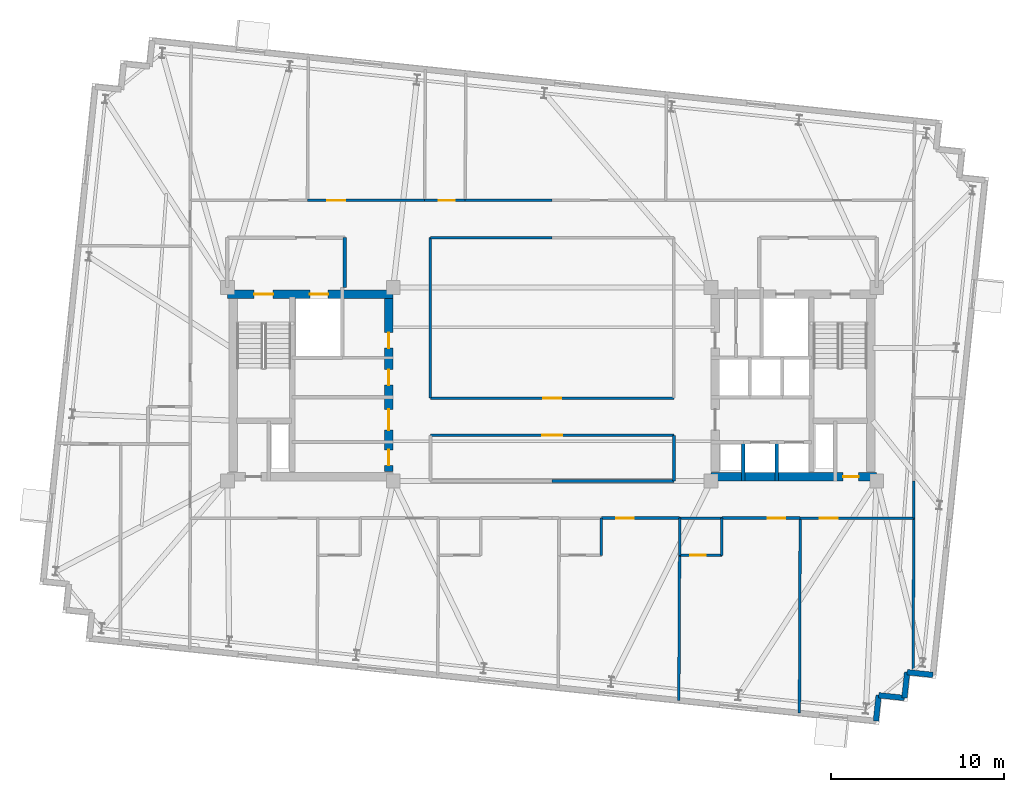
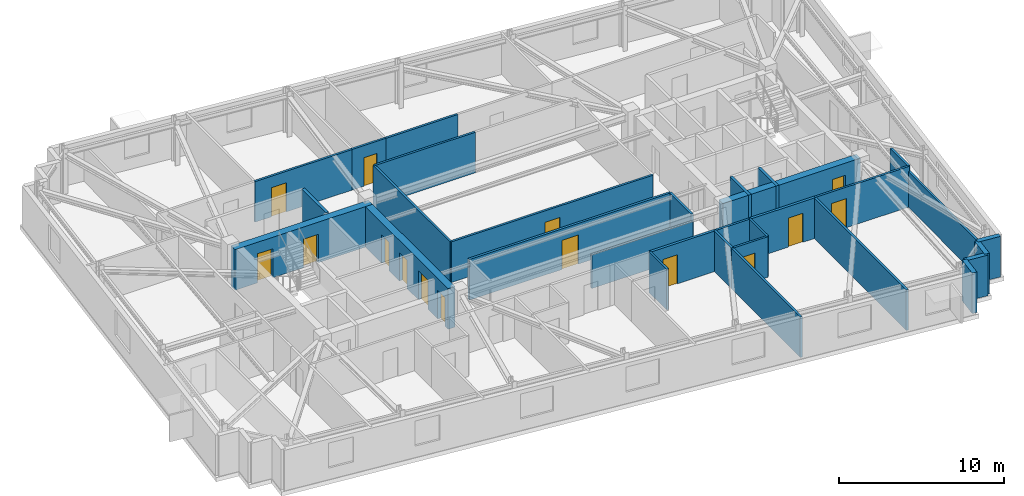
# One storey, part 7 of 11: 31 walls, 15 doors, 15 openings.
"""IFC4 building model written with IfcOpenShell, lengths in metres."""

from ifc_helpers import new_model, si_unit, direction, frame, frame_2d, origin, place, context, subcontext, project, spatial, rectangle, extrude, material, layer, layer_set, type_object, element, fill, save


model = new_model("IFC4")

# Units and contexts
model_context = context("Model", 3, precision=1e-05, world=origin(), true_north=direction((0.0, 1.0)))
body_context = subcontext(model_context, "Body", "Model", "MODEL_VIEW")
ifc_project = project(units=[si_unit("LENGTHUNIT", "METRE"), si_unit("AREAUNIT", "SQUARE_METRE"), si_unit("VOLUMEUNIT", "CUBIC_METRE"), si_unit("PLANEANGLEUNIT", "RADIAN"), si_unit("MASSUNIT", "GRAM", prefix="KILO")], contexts=[model_context])

# Site, building, storey
site_placement = place(None, origin())
site = spatial("IfcSite", under=ifc_project, at=site_placement, CompositionType="ELEMENT")
building_placement = place(site_placement, origin())
building = spatial("IfcBuilding", under=site, at=building_placement, Name="Qobustan Lattice House", CompositionType="ELEMENT")
storey_placement = place(building_placement, frame((0.0, 0.0, 219.85009765625)))
storey = spatial("IfcBuildingStorey", under=building, at=storey_placement, Name="L62", CompositionType="ELEMENT", Elevation=219.85009765625)

# Wall, openings, doors
ifc_material_1 = material(Name="Concrete C50/60", Category="concrete")
ifc_layer_1 = layer(ifc_material_1, 0.5)
ifc_layer_set_1 = layer_set([ifc_layer_1], Name="Concrete C50/60")
wall_type_1 = type_object("IfcWallType", Name="WAL-CORE-500", PredefinedType="SHEAR", material=ifc_layer_set_1)
wall_1_placement = place(storey_placement, frame((-18.800048828125, 5.2099609375, 0.0), z_axis=(0.0, 0.0, 1.0), x_axis=(1.0, 0.0, 0.0)))
wall_1 = element("IfcWall", 1, at=wall_1_placement, inside=storey, type_object=wall_type_1, Name="L62 split-core shear wall CW-N", PredefinedType="SHEAR", context=body_context, shape_type="SweptSolid", body=[
    extrude(rectangle(XDim=9.60009765625, YDim=0.5, at=frame_2d((4.800048828125, 0.0))), origin(), (0.0, 0.0, 1.0), 3.0),
])
opening_1_placement = place(wall_1_placement, frame((1.550048828125, 0.0, 0.0)))
opening_1 = element("IfcOpeningElement", 2, at=opening_1_placement, cuts=wall_1, Name="Opening SD-01", PredefinedType="OPENING", context=body_context, shape_type="SweptSolid", body=[
    extrude(rectangle(XDim=1.10009765625, YDim=2.14990234375, at=frame_2d((0.550048828125, 1.074951171875))), frame((0.0, 0.260009765625, 0.0), z_axis=(0.0, -1.0, 0.0), x_axis=(1.0, 0.0, 0.0)), (0.0, 0.0, 1.0), 0.52001953125),
])
opening_2_placement = place(wall_1_placement, frame((4.77490234375, 0.0, 0.0)))
opening_2 = element("IfcOpeningElement", 3, at=opening_2_placement, cuts=wall_1, Name="Opening LD-01", PredefinedType="OPENING", context=body_context, shape_type="SweptSolid", body=[
    extrude(rectangle(XDim=1.050048828125, YDim=2.10009765625, at=frame_2d((0.52490234375, 1.050048828125))), frame((0.0, 0.260009765625, 0.0), z_axis=(0.0, -1.0, 0.0), x_axis=(1.0, 0.0, 0.0)), (0.0, 0.0, 1.0), 0.52001953125),
])
ifc_material_2 = material(Name="Persian walnut timber and steel frame door", Category="steel")
door_type_1 = type_object("IfcDoorType", Name="DOR-LIFT-LD-1050x2100", OperationType="NOTDEFINED", PredefinedType="DOOR", material=ifc_material_2)
door_1_placement = place(opening_2_placement, origin())
door_1 = element("IfcDoor", 4, at=door_1_placement, inside=storey, type_object=door_type_1, Name="L62 firefighting lift FF-W landing door", OperationType="DOUBLE_DOOR_SLIDING", OverallHeight=2.10009765625, OverallWidth=1.050048828125, PredefinedType="DOOR", context=body_context, shape_type="SweptSolid", body=[
    extrude(rectangle(XDim=1.050048828125, YDim=2.10009765625, at=frame_2d((0.52490234375, 1.050048828125))), frame((0.0, 0.02490234375, 0.0), z_axis=(0.0, -1.0, 0.0), x_axis=(1.0, 0.0, 0.0)), (0.0, 0.0, 1.0), 0.050048828125),
])
fill(opening_2, door_1)
ifc_material_3 = material(Name="Persian walnut timber and steel frame door", Category="steel")
door_type_2 = type_object("IfcDoorType", Name="DOR-STAIR-FD-1100x2150", OperationType="NOTDEFINED", PredefinedType="DOOR", material=ifc_material_3)
door_2_placement = place(opening_1_placement, origin())
door_2 = element("IfcDoor", 5, at=door_2_placement, inside=storey, type_object=door_type_2, Name="L62 exit stair ST-W1 fire door", OperationType="SINGLE_SWING_RIGHT", OverallHeight=2.14990234375, OverallWidth=1.10009765625, PredefinedType="DOOR", context=body_context, shape_type="SweptSolid", body=[
    extrude(rectangle(XDim=1.10009765625, YDim=2.14990234375, at=frame_2d((0.550048828125, 1.074951171875))), frame((0.0, 0.02490234375, 0.0), z_axis=(0.0, -1.0, 0.0), x_axis=(1.0, 0.0, 0.0)), (0.0, 0.0, 1.0), 0.050048828125),
])
fill(opening_1, door_2)

wall_2_placement = place(storey_placement, frame((-9.449951171875, -5.050048828125, 0.0), z_axis=(0.0, 0.0, 1.0), x_axis=(0.0, 1.0, 0.0)))
wall_2 = element("IfcWall", 6, at=wall_2_placement, inside=storey, type_object=wall_type_1, Name="L62 split-core shear wall CW-E", PredefinedType="SHEAR", context=body_context, shape_type="SweptSolid", body=[
    extrude(rectangle(XDim=10.10009765625, YDim=0.5, at=frame_2d((5.050048828125, 0.0))), origin(), (0.0, 0.0, 1.0), 3.0),
])
opening_3_placement = place(wall_2_placement, frame((7.14990234375, 0.0, 0.0)))
opening_3 = element("IfcOpeningElement", 7, at=opening_3_placement, cuts=wall_2, Name="Opening RD-01", PredefinedType="OPENING", context=body_context, shape_type="SweptSolid", body=[
    extrude(rectangle(XDim=0.89990234375, YDim=2.10009765625, at=frame_2d((0.449951171875, 1.050048828125))), frame((0.0, 0.260009765625, 0.0), z_axis=(0.0, -1.0, 0.0), x_axis=(1.0, 0.0, 0.0)), (0.0, 0.0, 1.0), 0.52001953125),
])
opening_4_placement = place(wall_2_placement, frame((2.39990234375, 0.0, 0.0)))
opening_4 = element("IfcOpeningElement", 8, at=opening_4_placement, cuts=wall_2, Name="Opening FD-01", PredefinedType="OPENING", context=body_context, shape_type="SweptSolid", body=[
    extrude(rectangle(XDim=1.199951171875, YDim=2.14990234375, at=frame_2d((0.60009765625, 1.074951171875))), frame((0.0, 0.260009765625, 0.0), z_axis=(0.0, -1.0, 0.0), x_axis=(1.0, 0.0, 0.0)), (0.0, 0.0, 1.0), 0.52001953125),
])
opening_5_placement = place(wall_2_placement, frame((0.35009765625, 0.0, 0.0)))
opening_5 = element("IfcOpeningElement", 9, at=opening_5_placement, cuts=wall_2, Name="Opening RD-01", PredefinedType="OPENING", context=body_context, shape_type="SweptSolid", body=[
    extrude(rectangle(XDim=0.89990234375, YDim=2.10009765625, at=frame_2d((0.449951171875, 1.050048828125))), frame((0.0, 0.260009765625, 0.0), z_axis=(0.0, -1.0, 0.0), x_axis=(1.0, 0.0, 0.0)), (0.0, 0.0, 1.0), 0.52001953125),
])
opening_6_placement = place(wall_2_placement, frame((5.0, 0.0, 0.0)))
opening_6 = element("IfcOpeningElement", 10, at=opening_6_placement, cuts=wall_2, Name="Opening RD-01", PredefinedType="OPENING", context=body_context, shape_type="SweptSolid", body=[
    extrude(rectangle(XDim=0.89990234375, YDim=2.10009765625, at=frame_2d((0.449951171875, 1.050048828125))), frame((0.0, 0.260009765625, 0.0), z_axis=(0.0, -1.0, 0.0), x_axis=(1.0, 0.0, 0.0)), (0.0, 0.0, 1.0), 0.52001953125),
])
ifc_material_4 = material(Name="Persian walnut timber and steel frame door", Category="steel")
door_type_3 = type_object("IfcDoorType", Name="DOR-LOBBY-FD-1200x2150", OperationType="NOTDEFINED", PredefinedType="DOOR", material=ifc_material_4)
door_3_placement = place(opening_4_placement, origin())
door_3 = element("IfcDoor", 11, at=door_3_placement, inside=storey, type_object=door_type_3, Name="L62 West core foyer fire door", OperationType="SINGLE_SWING_RIGHT", OverallHeight=2.14990234375, OverallWidth=1.199951171875, PredefinedType="DOOR", context=body_context, shape_type="SweptSolid", body=[
    extrude(rectangle(XDim=1.199951171875, YDim=2.14990234375, at=frame_2d((0.60009765625, 1.074951171875))), frame((0.0, 0.02490234375, 0.0), z_axis=(0.0, -1.0, 0.0), x_axis=(1.0, 0.0, 0.0)), (0.0, 0.0, 1.0), 0.050048828125),
])
fill(opening_4, door_3)
ifc_material_5 = material(Name="Persian walnut timber and steel frame door", Category="steel")
door_type_4 = type_object("IfcDoorType", Name="DOR-RISER-FD-900x2100", OperationType="NOTDEFINED", PredefinedType="DOOR", material=ifc_material_5)
door_4_placement = place(opening_3_placement, origin())
door_4 = element("IfcDoor", 12, at=door_4_placement, inside=storey, type_object=door_type_4, Name="L62 Floor tea pantry fire door", OperationType="SINGLE_SWING_LEFT", OverallHeight=2.10009765625, OverallWidth=0.89990234375, PredefinedType="DOOR", context=body_context, shape_type="SweptSolid", body=[
    extrude(rectangle(XDim=0.89990234375, YDim=2.10009765625, at=frame_2d((0.449951171875, 1.050048828125))), frame((0.0, 0.02490234375, 0.0), z_axis=(0.0, -1.0, 0.0), x_axis=(1.0, 0.0, 0.0)), (0.0, 0.0, 1.0), 0.050048828125),
])
fill(opening_3, door_4)
door_5_placement = place(opening_5_placement, origin())
door_5 = element("IfcDoor", 13, at=door_5_placement, inside=storey, type_object=door_type_4, Name="L62 Tutorial seminar salon fire door", OperationType="SINGLE_SWING_LEFT", OverallHeight=2.10009765625, OverallWidth=0.89990234375, PredefinedType="DOOR", context=body_context, shape_type="SweptSolid", body=[
    extrude(rectangle(XDim=0.89990234375, YDim=2.10009765625, at=frame_2d((0.449951171875, 1.050048828125))), frame((0.0, 0.02490234375, 0.0), z_axis=(0.0, -1.0, 0.0), x_axis=(1.0, 0.0, 0.0)), (0.0, 0.0, 1.0), 0.050048828125),
])
fill(opening_5, door_5)
door_6_placement = place(opening_6_placement, origin())
door_6 = element("IfcDoor", 14, at=door_6_placement, inside=storey, type_object=door_type_4, Name="L62 Copy and tea hub fire door", OperationType="SINGLE_SWING_RIGHT", OverallHeight=2.10009765625, OverallWidth=0.89990234375, PredefinedType="DOOR", context=body_context, shape_type="SweptSolid", body=[
    extrude(rectangle(XDim=0.89990234375, YDim=2.10009765625, at=frame_2d((0.449951171875, 1.050048828125))), frame((0.0, 0.02490234375, 0.0), z_axis=(0.0, -1.0, 0.0), x_axis=(1.0, 0.0, 0.0)), (0.0, 0.0, 1.0), 0.050048828125),
])
fill(opening_6, door_6)

# Wall, opening, door
wall_3_placement = place(storey_placement, frame((9.199951171875, -5.35009765625, 0.0), z_axis=(0.0, 0.0, 1.0), x_axis=(1.0, 0.0, 0.0)))
wall_3 = element("IfcWall", 15, at=wall_3_placement, inside=storey, type_object=wall_type_1, Name="L62 split-core shear wall CE-S", PredefinedType="SHEAR", context=body_context, shape_type="SweptSolid", body=[
    extrude(rectangle(XDim=9.60009765625, YDim=0.5, at=frame_2d((4.800048828125, 0.0))), origin(), (0.0, 0.0, 1.0), 3.0),
])
opening_7_placement = place(wall_3_placement, frame((7.64990234375, 0.0, 0.0)))
opening_7 = element("IfcOpeningElement", 16, at=opening_7_placement, cuts=wall_3, Name="Opening RD-01", PredefinedType="OPENING", context=body_context, shape_type="SweptSolid", body=[
    extrude(rectangle(XDim=0.89990234375, YDim=2.10009765625, at=frame_2d((0.449951171875, 1.050048828125))), frame((0.0, 0.260009765625, 0.0), z_axis=(0.0, -1.0, 0.0), x_axis=(1.0, 0.0, 0.0)), (0.0, 0.0, 1.0), 0.52001953125),
])
door_7_placement = place(opening_7_placement, origin())
door_7 = element("IfcDoor", 17, at=door_7_placement, inside=storey, type_object=door_type_4, Name="L62 core service riser access door E", OperationType="SINGLE_SWING_LEFT", OverallHeight=2.10009765625, OverallWidth=0.89990234375, PredefinedType="DOOR", context=body_context, shape_type="SweptSolid", body=[
    extrude(rectangle(XDim=0.89990234375, YDim=2.10009765625, at=frame_2d((0.449951171875, 1.050048828125))), frame((0.0, 0.02490234375, 0.0), z_axis=(0.0, -1.0, 0.0), x_axis=(1.0, 0.0, 0.0)), (0.0, 0.0, 1.0), 0.050048828125),
])
fill(opening_7, door_7)

# Walls
ifc_material_6 = material(Name="Precast concrete C40/50", Category="concrete")
ifc_layer_2 = layer(ifc_material_6, 0.320068359375)
ifc_layer_set_2 = layer_set([ifc_layer_2], Name="Precast concrete C40/50")
wall_type_2 = type_object("IfcWallType", Name="WAL-EXT-STONE-320", PredefinedType="SOLIDWALL", material=ifc_layer_set_2)
wall_4_placement = place(storey_placement, frame((22.052978515625, -16.828369140625, 0.0), z_axis=(0.0, 0.0, 1.0), x_axis=(-0.994526834051, 0.104481464157, 0.0)))
element("IfcWall", 18, at=wall_4_placement, inside=storey, type_object=wall_type_2, Name="L62 exterior limestone-clad wall 16", PredefinedType="SOLIDWALL", context=body_context, shape_type="SweptSolid", body=[
    extrude(rectangle(XDim=1.500244140625, YDim=0.320068359375, at=frame_2d((0.75, 0.0))), origin(), (0.0, 0.0, 1.0), 3.0),
])
for number, where, z_axis, x_axis, name in (
    (19, (20.56103515625, -16.671630859375, 0.0), (0.0, 0.0, 1.0), (-0.104498377516, -0.994525057048, 0.0), "L62 exterior limestone-clad wall 17"),
    (20, (20.404296875, -18.163330078125, 0.0), (0.0, 0.0, 1.0), (-0.994525057048, 0.104498377516, 0.0), "L62 exterior limestone-clad wall 18"),
    (21, (18.91259765625, -18.006591796875, 0.0), (0.0, 0.0, 1.0), (-0.104498377516, -0.994525057048, 0.0), "L62 exterior limestone-clad wall 19"),
):
    element("IfcWall", number, at=place(storey_placement, frame(where, z_axis=z_axis, x_axis=x_axis)), inside=storey, type_object=wall_type_2, Name=name, PredefinedType="SOLIDWALL", context=body_context, shape_type="SweptSolid", body=[
        extrude(rectangle(XDim=1.5, YDim=0.320068359375, at=frame_2d((0.75, 0.0))), origin(), (0.0, 0.0, 1.0), 3.0),
    ])

# Wall, opening, door
ifc_material_7 = material(Name="Gypsum fireboard acoustic partition", Category="gypsum")
ifc_layer_3 = layer(ifc_material_7, 0.179931640625)
ifc_layer_set_3 = layer_set([ifc_layer_3], Name="Gypsum fireboard acoustic partition")
wall_type_3 = type_object("IfcWallType", Name="WAL-FIRE-180", PredefinedType="PARTITIONING", material=ifc_layer_set_3)
wall_5_placement = place(storey_placement, frame((7.383056640625, -7.75, 0.0), z_axis=(0.0, 0.0, 1.0), x_axis=(-1.0, 0.0, 0.0)))
wall_5 = element("IfcWall", 22, at=wall_5_placement, inside=storey, type_object=wall_type_3, Name="L62 interior partition 50", PredefinedType="PARTITIONING", context=body_context, shape_type="SweptSolid", body=[
    extrude(rectangle(XDim=4.532958984375, YDim=0.179931640625, at=frame_2d((2.2666015625, 0.0))), origin(), (0.0, 0.0, 1.0), 3.0),
])
opening_8_placement = place(wall_5_placement, frame((2.656494140625, 0.0, 0.0)))
opening_8 = element("IfcOpeningElement", 23, at=opening_8_placement, cuts=wall_5, Name="Opening FD-02", PredefinedType="OPENING", context=body_context, shape_type="SweptSolid", body=[
    extrude(rectangle(XDim=1.0, YDim=2.14990234375, at=frame_2d((0.5, 1.074951171875))), frame((0.0, 0.099853515625, 0.0), z_axis=(0.0, -1.0, 0.0), x_axis=(1.0, 0.0, 0.0)), (0.0, 0.0, 1.0), 0.199951171875),
])
ifc_material_8 = material(Name="Persian walnut timber and steel frame door", Category="steel")
door_type_5 = type_object("IfcDoorType", Name="DOR-UNIT-FD-1000x2150", OperationType="NOTDEFINED", PredefinedType="DOOR", material=ifc_material_8)
door_8_placement = place(opening_8_placement, origin())
door_8 = element("IfcDoor", 24, at=door_8_placement, inside=storey, type_object=door_type_5, Name="L62 South-east floor corridor to Kitchenette and studio apartment L62-S4 door", OperationType="SINGLE_SWING_LEFT", OverallHeight=2.14990234375, OverallWidth=1.0, PredefinedType="DOOR", context=body_context, shape_type="SweptSolid", body=[
    extrude(rectangle(XDim=1.0, YDim=2.14990234375, at=frame_2d((0.5, 1.074951171875))), frame((0.0, 0.02490234375, 0.0), z_axis=(0.0, -1.0, 0.0), x_axis=(1.0, 0.0, 0.0)), (0.0, 0.0, 1.0), 0.050048828125),
])
fill(opening_8, door_8)

wall_6_placement = place(storey_placement, frame((14.366943359375, -7.75, 0.0), z_axis=(0.0, 0.0, 1.0), x_axis=(-1.0, 0.0, 0.0)))
wall_6 = element("IfcWall", 25, at=wall_6_placement, inside=storey, type_object=wall_type_3, Name="L62 interior partition 52", PredefinedType="PARTITIONING", context=body_context, shape_type="SweptSolid", body=[
    extrude(rectangle(XDim=4.533935546875, YDim=0.179931640625, at=frame_2d((2.26708984375, 0.0))), origin(), (0.0, 0.0, 1.0), 3.0),
])
opening_9_placement = place(wall_6_placement, frame((0.876708984375, 0.0, 0.0)))
opening_9 = element("IfcOpeningElement", 26, at=opening_9_placement, cuts=wall_6, Name="Opening FD-02", PredefinedType="OPENING", context=body_context, shape_type="SweptSolid", body=[
    extrude(rectangle(XDim=1.0, YDim=2.14990234375, at=frame_2d((0.5, 1.074951171875))), frame((0.0, 0.099853515625, 0.0), z_axis=(0.0, -1.0, 0.0), x_axis=(1.0, 0.0, 0.0)), (0.0, 0.0, 1.0), 0.199951171875),
])
door_9_placement = place(opening_9_placement, origin())
door_9 = element("IfcDoor", 27, at=door_9_placement, inside=storey, type_object=door_type_5, Name="L62 South-east floor corridor to Kitchenette and studio apartment L62-S5 door", OperationType="SINGLE_SWING_RIGHT", OverallHeight=2.14990234375, OverallWidth=1.0, PredefinedType="DOOR", context=body_context, shape_type="SweptSolid", body=[
    extrude(rectangle(XDim=1.0, YDim=2.14990234375, at=frame_2d((0.5, 1.074951171875))), frame((0.0, 0.02490234375, 0.0), z_axis=(0.0, -1.0, 0.0), x_axis=(1.0, 0.0, 0.0)), (0.0, 0.0, 1.0), 0.050048828125),
])
fill(opening_9, door_9)

ifc_material_9 = material(Name="Acoustic twin-stud gypsum partition", Category="gypsum")
ifc_layer_4 = layer(ifc_material_9, 0.14990234375)
ifc_layer_set_4 = layer_set([ifc_layer_4], Name="Acoustic twin-stud gypsum partition")
wall_type_4 = type_object("IfcWallType", Name="WAL-PART-150", PredefinedType="PARTITIONING", material=ifc_layer_set_4)
wall_7_placement = place(storey_placement, frame((-14.16650390625, 10.64990234375, 0.0), z_axis=(0.0, 0.0, 1.0), x_axis=(1.0, 0.0, 0.0)))
wall_7 = element("IfcWall", 28, at=wall_7_placement, inside=storey, type_object=wall_type_4, Name="L62 interior partition 33", PredefinedType="PARTITIONING", context=body_context, shape_type="SweptSolid", body=[
    extrude(rectangle(XDim=6.783447265625, YDim=0.14990234375, at=frame_2d((3.3916015625, 0.0))), origin(), (0.0, 0.0, 1.0), 3.0),
])
opening_10_placement = place(wall_7_placement, frame((1.151611328125, 0.0, 0.0)))
opening_10 = element("IfcOpeningElement", 29, at=opening_10_placement, cuts=wall_7, Name="Opening ID-02", PredefinedType="OPENING", context=body_context, shape_type="SweptSolid", body=[
    extrude(rectangle(XDim=1.050048828125, YDim=2.14990234375, at=frame_2d((0.52490234375, 1.074951171875))), frame((0.0, 0.0849609375, 0.0), z_axis=(0.0, -1.0, 0.0), x_axis=(1.0, 0.0, 0.0)), (0.0, 0.0, 1.0), 0.169921875),
])
ifc_material_10 = material(Name="Persian walnut timber and steel frame door", Category="steel")
door_type_6 = type_object("IfcDoorType", Name="DOR-STUDY-1050x2150", OperationType="NOTDEFINED", PredefinedType="DOOR", material=ifc_material_10)
door_10_placement = place(opening_10_placement, origin())
door_10 = element("IfcDoor", 30, at=door_10_placement, inside=storey, type_object=door_type_6, Name="L62 North-west floor corridor to Focus study room N1B door", OperationType="SINGLE_SWING_LEFT", OverallHeight=2.14990234375, OverallWidth=1.050048828125, PredefinedType="DOOR", context=body_context, shape_type="SweptSolid", body=[
    extrude(rectangle(XDim=1.050048828125, YDim=2.14990234375, at=frame_2d((0.52490234375, 1.074951171875))), frame((0.0, 0.02490234375, 0.0), z_axis=(0.0, -1.0, 0.0), x_axis=(1.0, 0.0, 0.0)), (0.0, 0.0, 1.0), 0.050048828125),
])
fill(opening_10, door_10)

# Walls
wall_8_placement = place(storey_placement, frame((-5.032958984375, 10.64990234375, 0.0), z_axis=(0.0, 0.0, 1.0), x_axis=(1.0, 0.0, 0.0)))
element("IfcWall", 31, at=wall_8_placement, inside=storey, type_object=wall_type_4, Name="L62 interior partition 35", PredefinedType="PARTITIONING", context=body_context, shape_type="SweptSolid", body=[
    extrude(rectangle(XDim=5.032958984375, YDim=0.14990234375, at=frame_2d((2.5166015625, 0.0))), origin(), (0.0, 0.0, 1.0), 3.0),
])
wall_9_placement = place(storey_placement, frame((0.0, 8.5, 0.0), z_axis=(0.0, 0.0, 1.0), x_axis=(-1.0, 0.0, 0.0)))
element("IfcWall", 32, at=wall_9_placement, inside=storey, type_object=wall_type_4, Name="L62 interior partition 36", PredefinedType="PARTITIONING", context=body_context, shape_type="SweptSolid", body=[
    extrude(rectangle(XDim=7.050048828125, YDim=0.14990234375, at=frame_2d((3.52490234375, 0.0))), origin(), (0.0, 0.0, 1.0), 3.0),
])
wall_10_placement = place(storey_placement, frame((20.949951171875, -5.60009765625, 0.0), z_axis=(0.0, 0.0, 1.0), x_axis=(0.0, -1.0, 0.0)))
element("IfcWall", 33, at=wall_10_placement, inside=storey, type_object=wall_type_4, Name="L62 interior partition 48", PredefinedType="PARTITIONING", context=body_context, shape_type="SweptSolid", body=[
    extrude(rectangle(XDim=2.14990234375, YDim=0.14990234375, at=frame_2d((1.074951171875, 0.0))), origin(), (0.0, 0.0, 1.0), 3.0),
])

# Wall, opening, door
wall_11_placement = place(storey_placement, frame((20.949951171875, -7.75, 0.0), z_axis=(0.0, 0.0, 1.0), x_axis=(-1.0, 0.0, 0.0)))
wall_11 = element("IfcWall", 34, at=wall_11_placement, inside=storey, type_object=wall_type_4, Name="L62 interior partition 54", PredefinedType="PARTITIONING", context=body_context, shape_type="SweptSolid", body=[
    extrude(rectangle(XDim=6.5830078125, YDim=0.14990234375, at=frame_2d((3.29150390625, 0.0))), origin(), (0.0, 0.0, 1.0), 3.0),
])
opening_11_placement = place(wall_11_placement, frame((4.406494140625, 0.0, 0.0)))
opening_11 = element("IfcOpeningElement", 35, at=opening_11_placement, cuts=wall_11, Name="Opening ID-02", PredefinedType="OPENING", context=body_context, shape_type="SweptSolid", body=[
    extrude(rectangle(XDim=1.050048828125, YDim=2.14990234375, at=frame_2d((0.52490234375, 1.074951171875))), frame((0.0, 0.0849609375, 0.0), z_axis=(0.0, -1.0, 0.0), x_axis=(1.0, 0.0, 0.0)), (0.0, 0.0, 1.0), 0.169921875),
])
door_11_placement = place(opening_11_placement, origin())
door_11 = element("IfcDoor", 36, at=door_11_placement, inside=storey, type_object=door_type_6, Name="L62 South-east floor corridor to Group study room door", OperationType="SINGLE_SWING_LEFT", OverallHeight=2.14990234375, OverallWidth=1.050048828125, PredefinedType="DOOR", context=body_context, shape_type="SweptSolid", body=[
    extrude(rectangle(XDim=1.050048828125, YDim=2.14990234375, at=frame_2d((0.52490234375, 1.074951171875))), frame((0.0, 0.02490234375, 0.0), z_axis=(0.0, -1.0, 0.0), x_axis=(1.0, 0.0, 0.0)), (0.0, 0.0, 1.0), 0.050048828125),
])
fill(opening_11, door_11)

wall_12_placement = place(storey_placement, frame((-7.050048828125, -0.800048828125, 0.0), z_axis=(0.0, 0.0, 1.0), x_axis=(1.0, 0.0, 0.0)))
wall_12 = element("IfcWall", 37, at=wall_12_placement, inside=storey, type_object=wall_type_4, Name="L62 interior partition 62", PredefinedType="PARTITIONING", context=body_context, shape_type="SweptSolid", body=[
    extrude(rectangle(XDim=14.10009765625, YDim=0.14990234375, at=frame_2d((7.050048828125, 0.0))), origin(), (0.0, 0.0, 1.0), 3.0),
])
opening_12_placement = place(wall_12_placement, frame((6.52490234375, 0.0, 0.0)))
opening_12 = element("IfcOpeningElement", 38, at=opening_12_placement, cuts=wall_12, Name="Opening ID-02", PredefinedType="OPENING", context=body_context, shape_type="SweptSolid", body=[
    extrude(rectangle(XDim=1.050048828125, YDim=2.14990234375, at=frame_2d((0.52490234375, 1.074951171875))), frame((0.0, 0.0849609375, 0.0), z_axis=(0.0, -1.0, 0.0), x_axis=(1.0, 0.0, 0.0)), (0.0, 0.0, 1.0), 0.169921875),
])
door_12_placement = place(opening_12_placement, origin())
door_12 = element("IfcDoor", 39, at=door_12_placement, inside=storey, type_object=door_type_6, Name="L62 Central spine corridor to Central study commons door", OperationType="SINGLE_SWING_LEFT", OverallHeight=2.14990234375, OverallWidth=1.050048828125, PredefinedType="DOOR", context=body_context, shape_type="SweptSolid", body=[
    extrude(rectangle(XDim=1.050048828125, YDim=2.14990234375, at=frame_2d((0.52490234375, 1.074951171875))), frame((0.0, 0.02490234375, 0.0), z_axis=(0.0, -1.0, 0.0), x_axis=(1.0, 0.0, 0.0)), (0.0, 0.0, 1.0), 0.050048828125),
])
fill(opening_12, door_12)

# Walls
wall_13_placement = place(storey_placement, frame((-7.050048828125, 8.5, 0.0), z_axis=(0.0, 0.0, 1.0), x_axis=(0.0, -1.0, 0.0)))
element("IfcWall", 40, at=wall_13_placement, inside=storey, type_object=wall_type_4, Name="L62 interior partition 64", PredefinedType="PARTITIONING", context=body_context, shape_type="SweptSolid", body=[
    extrude(rectangle(XDim=9.300048828125, YDim=0.14990234375, at=frame_2d((4.64990234375, 0.0))), origin(), (0.0, 0.0, 1.0), 3.0),
])
wall_14_placement = place(storey_placement, frame((20.906005859375, -16.7080078125, 0.0), z_axis=(0.0, 0.0, 1.0), x_axis=(0.004905642486, 0.999987967264, 0.0)))
element("IfcWall", 41, at=wall_14_placement, inside=storey, type_object=wall_type_4, Name="L62 interior partition 78", PredefinedType="PARTITIONING", context=body_context, shape_type="SweptSolid", body=[
    extrude(rectangle(XDim=8.9580078125, YDim=0.14990234375, at=frame_2d((4.47900390625, 0.0))), origin(), (0.0, 0.0, 1.0), 2.625),
])
wall_15_placement = place(storey_placement, frame((7.383056640625, -9.89990234375, 0.0), z_axis=(0.0, 0.0, 1.0), x_axis=(-0.00523233441, -0.999986311245, 0.0)))
element("IfcWall", 42, at=wall_15_placement, inside=storey, type_object=wall_type_4, Name="L62 interior partition 96", PredefinedType="PARTITIONING", context=body_context, shape_type="SweptSolid", body=[
    extrude(rectangle(XDim=8.398681640625, YDim=0.14990234375, at=frame_2d((4.19921875, 0.0))), origin(), (0.0, 0.0, 1.0), 3.0),
])
wall_16_placement = place(storey_placement, frame((14.366943359375, -7.75, 0.0), z_axis=(0.0, 0.0, 1.0), x_axis=(-0.003894978353, -0.999992414543, 0.0)))
element("IfcWall", 43, at=wall_16_placement, inside=storey, type_object=wall_type_4, Name="L62 interior partition 100", PredefinedType="PARTITIONING", context=body_context, shape_type="SweptSolid", body=[
    extrude(rectangle(XDim=11.282470703125, YDim=0.14990234375, at=frame_2d((5.64111328125, 0.0))), origin(), (0.0, 0.0, 1.0), 3.0),
])
ifc_material_11 = material(Name="High-mass acoustic twin-stud partition", Category="gypsum")
ifc_layer_5 = layer(ifc_material_11, 0.1650390625)
ifc_layer_set_5 = layer_set([ifc_layer_5], Name="High-mass acoustic twin-stud partition")
wall_type_5 = type_object("IfcWallType", Name="WAL-PART-165", PredefinedType="PARTITIONING", material=ifc_layer_set_5)
wall_17_placement = place(storey_placement, frame((0.0, -5.60009765625, 0.0), z_axis=(0.0, 0.0, 1.0), x_axis=(1.0, 0.0, 0.0)))
element("IfcWall", 44, at=wall_17_placement, inside=storey, type_object=wall_type_5, Name="L62 interior partition 55", PredefinedType="PARTITIONING", context=body_context, shape_type="SweptSolid", body=[
    extrude(rectangle(XDim=7.050048828125, YDim=0.1650390625, at=frame_2d((3.52490234375, 0.0))), origin(), (0.0, 0.0, 1.0), 2.48486328125),
])

# Wall, opening, door
wall_18_placement = place(storey_placement, frame((7.050048828125, -2.949951171875, 0.0), z_axis=(0.0, 0.0, 1.0), x_axis=(-1.0, 0.0, 0.0)))
wall_18 = element("IfcWall", 45, at=wall_18_placement, inside=storey, type_object=wall_type_5, Name="L62 interior partition 63", PredefinedType="PARTITIONING", context=body_context, shape_type="SweptSolid", body=[
    extrude(rectangle(XDim=14.10009765625, YDim=0.1650390625, at=frame_2d((7.050048828125, 0.0))), origin(), (0.0, 0.0, 1.0), 3.0),
])
opening_13_placement = place(wall_18_placement, frame((6.47509765625, 0.0, 0.0)))
opening_13 = element("IfcOpeningElement", 46, at=opening_13_placement, cuts=wall_18, Name="Opening ID-03", PredefinedType="OPENING", context=body_context, shape_type="SweptSolid", body=[
    extrude(rectangle(XDim=1.14990234375, YDim=2.14990234375, at=frame_2d((0.574951171875, 1.074951171875))), frame((0.0, 0.092529296875, 0.0), z_axis=(0.0, -1.0, 0.0), x_axis=(1.0, 0.0, 0.0)), (0.0, 0.0, 1.0), 0.18505859375),
])
ifc_material_12 = material(Name="Persian walnut timber and steel frame door", Category="steel")
door_type_7 = type_object("IfcDoorType", Name="DOR-KITCH-1150x2150", OperationType="NOTDEFINED", PredefinedType="DOOR", material=ifc_material_12)
door_13_placement = place(opening_13_placement, origin())
door_13 = element("IfcDoor", 47, at=door_13_placement, inside=storey, type_object=door_type_7, Name="L62 Central spine corridor to Shared kitchen and tea room door", OperationType="SINGLE_SWING_RIGHT", OverallHeight=2.14990234375, OverallWidth=1.14990234375, PredefinedType="DOOR", context=body_context, shape_type="SweptSolid", body=[
    extrude(rectangle(XDim=1.14990234375, YDim=2.14990234375, at=frame_2d((0.574951171875, 1.074951171875))), frame((0.0, 0.02490234375, 0.0), z_axis=(0.0, -1.0, 0.0), x_axis=(1.0, 0.0, 0.0)), (0.0, 0.0, 1.0), 0.050048828125),
])
fill(opening_13, door_13)

# Walls
wall_19_placement = place(storey_placement, frame((7.050048828125, -5.60009765625, 0.0), z_axis=(0.0, 0.0, 1.0), x_axis=(0.0, 1.0, 0.0)))
element("IfcWall", 48, at=wall_19_placement, inside=storey, type_object=wall_type_5, Name="L62 interior partition 67", PredefinedType="PARTITIONING", context=body_context, shape_type="SweptSolid", body=[
    extrude(rectangle(XDim=2.650146484375, YDim=0.1650390625, at=frame_2d((1.3251953125, 0.0))), origin(), (0.0, 0.0, 1.0), 3.0),
])
ifc_material_13 = material(Name="Two-hour gypsum fireboard acoustic partition", Category="gypsum")
ifc_layer_6 = layer(ifc_material_13, 0.199951171875)
ifc_layer_set_6 = layer_set([ifc_layer_6], Name="Two-hour gypsum fireboard acoustic partition")
wall_type_6 = type_object("IfcWallType", Name="WAL-PROT-200", PredefinedType="PARTITIONING", material=ifc_layer_set_6)
wall_20_placement = place(storey_placement, frame((-12.0, 5.60009765625, 0.0), z_axis=(0.0, 0.0, 1.0), x_axis=(0.0, 1.0, 0.0)))
element("IfcWall", 49, at=wall_20_placement, inside=storey, type_object=wall_type_6, Name="L62 interior partition 5", PredefinedType="PARTITIONING", context=body_context, shape_type="SweptSolid", body=[
    extrude(rectangle(XDim=2.89990234375, YDim=0.199951171875, at=frame_2d((1.449951171875, 0.0))), origin(), (0.0, 0.0, 1.0), 3.0),
])
ifc_material_14 = material(Name="Concrete C40/50", Category="concrete")
ifc_layer_7 = layer(ifc_material_14, 0.199951171875)
ifc_layer_set_7 = layer_set([ifc_layer_7], Name="Concrete C40/50")
wall_type_7 = type_object("IfcWallType", Name="WAL-SHAFT-200", PredefinedType="PARTITIONING", material=ifc_layer_set_7)
for number, where, z_axis, x_axis, name in (
    (50, (11.080078125, -5.60009765625, 0.0), (0.0, 0.0, 1.0), (0.0, 1.0, 0.0), "L62 interior partition 27"),
    (51, (13.02001953125, -5.60009765625, 0.0), (0.0, 0.0, 1.0), (0.0, 1.0, 0.0), "L62 interior partition 28"),
):
    element("IfcWall", number, at=place(storey_placement, frame(where, z_axis=z_axis, x_axis=x_axis)), inside=storey, type_object=wall_type_7, Name=name, PredefinedType="PARTITIONING", context=body_context, shape_type="SweptSolid", body=[
        extrude(rectangle(XDim=2.25, YDim=0.199951171875, at=frame_2d((1.125, 0.0))), origin(), (0.0, 0.0, 1.0), 3.0),
    ])

# Wall, opening, door
ifc_material_15 = material(Name="Moisture-resistant acoustic plumbing wall", Category="gypsum")
ifc_layer_8 = layer(ifc_material_15, 0.14990234375)
ifc_layer_set_8 = layer_set([ifc_layer_8], Name="Moisture-resistant acoustic plumbing wall")
wall_type_8 = type_object("IfcWallType", Name="WAL-WET-150", PredefinedType="PLUMBINGWALL", material=ifc_layer_set_8)
wall_21_placement = place(storey_placement, frame((-7.383056640625, 10.64990234375, 0.0), z_axis=(0.0, 0.0, 1.0), x_axis=(1.0, 0.0, 0.0)))
wall_21 = element("IfcWall", 52, at=wall_21_placement, inside=storey, type_object=wall_type_8, Name="L62 interior partition 34", PredefinedType="PLUMBINGWALL", context=body_context, shape_type="SweptSolid", body=[
    extrude(rectangle(XDim=2.35009765625, YDim=0.14990234375, at=frame_2d((1.175048828125, 0.0))), origin(), (0.0, 0.0, 1.0), 3.0),
])
opening_14_placement = place(wall_21_placement, frame((0.833740234375, 0.0, 0.0)))
opening_14 = element("IfcOpeningElement", 53, at=opening_14_placement, cuts=wall_21, Name="Opening WD-01", PredefinedType="OPENING", context=body_context, shape_type="SweptSolid", body=[
    extrude(rectangle(XDim=0.89990234375, YDim=2.10009765625, at=frame_2d((0.449951171875, 1.050048828125))), frame((0.0, 0.0849609375, 0.0), z_axis=(0.0, -1.0, 0.0), x_axis=(1.0, 0.0, 0.0)), (0.0, 0.0, 1.0), 0.169921875),
])
ifc_material_16 = material(Name="Persian walnut timber and steel frame door", Category="steel")
door_type_8 = type_object("IfcDoorType", Name="DOR-WET-900x2100", OperationType="NOTDEFINED", PredefinedType="DOOR", material=ifc_material_16)
door_14_placement = place(opening_14_placement, origin())
door_14 = element("IfcDoor", 54, at=door_14_placement, inside=storey, type_object=door_type_8, Name="L62 North-west floor corridor to Accessible WC door", OperationType="SINGLE_SWING_RIGHT", OverallHeight=2.10009765625, OverallWidth=0.89990234375, PredefinedType="DOOR", context=body_context, shape_type="SweptSolid", body=[
    extrude(rectangle(XDim=0.89990234375, YDim=2.10009765625, at=frame_2d((0.449951171875, 1.050048828125))), frame((0.0, 0.02490234375, 0.0), z_axis=(0.0, -1.0, 0.0), x_axis=(1.0, 0.0, 0.0)), (0.0, 0.0, 1.0), 0.050048828125),
])
fill(opening_14, door_14)

# Walls
wall_22_placement = place(storey_placement, frame((9.8330078125, -7.75, 0.0), z_axis=(0.0, 0.0, 1.0), x_axis=(-1.0, 0.0, 0.0)))
element("IfcWall", 55, at=wall_22_placement, inside=storey, type_object=wall_type_8, Name="L62 interior partition 53", PredefinedType="PLUMBINGWALL", context=body_context, shape_type="SweptSolid", body=[
    extrude(rectangle(XDim=2.449951171875, YDim=0.14990234375, at=frame_2d((1.22509765625, 0.0))), origin(), (0.0, 0.0, 1.0), 3.0),
])
for number, where, z_axis, x_axis, name in (
    (56, (2.85009765625, -9.89990234375, 0.0), (0.0, 0.0, 1.0), (0.0, 1.0, 0.0), "L62 interior partition 95"),
    (57, (7.383056640625, -7.75, 0.0), (0.0, 0.0, 1.0), (0.0, -1.0, 0.0), "L62 interior partition 97"),
):
    element("IfcWall", number, at=place(storey_placement, frame(where, z_axis=z_axis, x_axis=x_axis)), inside=storey, type_object=wall_type_8, Name=name, PredefinedType="PLUMBINGWALL", context=body_context, shape_type="SweptSolid", body=[
        extrude(rectangle(XDim=2.14990234375, YDim=0.14990234375, at=frame_2d((1.074951171875, 0.0))), origin(), (0.0, 0.0, 1.0), 3.0),
    ])

# Wall, opening, door
wall_23_placement = place(storey_placement, frame((7.383056640625, -9.89990234375, 0.0), z_axis=(0.0, 0.0, 1.0), x_axis=(1.0, 0.0, 0.0)))
wall_23 = element("IfcWall", 58, at=wall_23_placement, inside=storey, type_object=wall_type_8, Name="L62 interior partition 98", PredefinedType="PLUMBINGWALL", context=body_context, shape_type="SweptSolid", body=[
    extrude(rectangle(XDim=2.449951171875, YDim=0.14990234375, at=frame_2d((1.22509765625, 0.0))), origin(), (0.0, 0.0, 1.0), 3.0),
])
opening_15_placement = place(wall_23_placement, frame((0.62890625, 0.0, 0.0)))
opening_15 = element("IfcOpeningElement", 59, at=opening_15_placement, cuts=wall_23, Name="Opening WD-01", PredefinedType="OPENING", context=body_context, shape_type="SweptSolid", body=[
    extrude(rectangle(XDim=0.89990234375, YDim=2.10009765625, at=frame_2d((0.449951171875, 1.050048828125))), frame((0.0, 0.0849609375, 0.0), z_axis=(0.0, -1.0, 0.0), x_axis=(1.0, 0.0, 0.0)), (0.0, 0.0, 1.0), 0.169921875),
])
door_15_placement = place(opening_15_placement, origin())
door_15 = element("IfcDoor", 60, at=door_15_placement, inside=storey, type_object=door_type_8, Name="L62 Kitchenette and studio apartment L62-S5 to En-suite bathroom L62-S5 door", OperationType="SINGLE_SWING_RIGHT", OverallHeight=2.10009765625, OverallWidth=0.89990234375, PredefinedType="DOOR", context=body_context, shape_type="SweptSolid", body=[
    extrude(rectangle(XDim=0.89990234375, YDim=2.10009765625, at=frame_2d((0.449951171875, 1.050048828125))), frame((0.0, 0.02490234375, 0.0), z_axis=(0.0, -1.0, 0.0), x_axis=(1.0, 0.0, 0.0)), (0.0, 0.0, 1.0), 0.050048828125),
])
fill(opening_15, door_15)

# Wall
wall_24_placement = place(storey_placement, frame((9.8330078125, -9.89990234375, 0.0), z_axis=(0.0, 0.0, 1.0), x_axis=(0.0, 1.0, 0.0)))
element("IfcWall", 61, at=wall_24_placement, inside=storey, type_object=wall_type_8, Name="L62 interior partition 99", PredefinedType="PLUMBINGWALL", context=body_context, shape_type="SweptSolid", body=[
    extrude(rectangle(XDim=2.14990234375, YDim=0.14990234375, at=frame_2d((1.074951171875, 0.0))), origin(), (0.0, 0.0, 1.0), 3.0),
])

save(model, "model.ifc")
